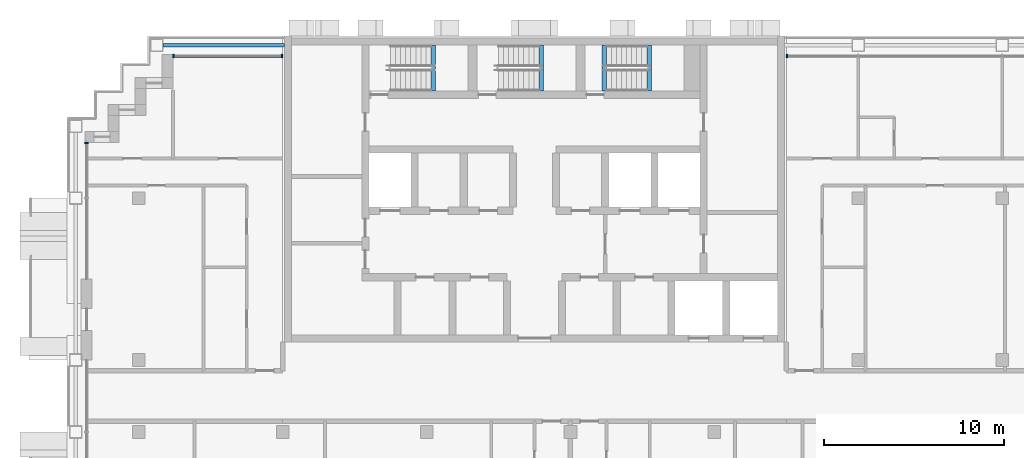
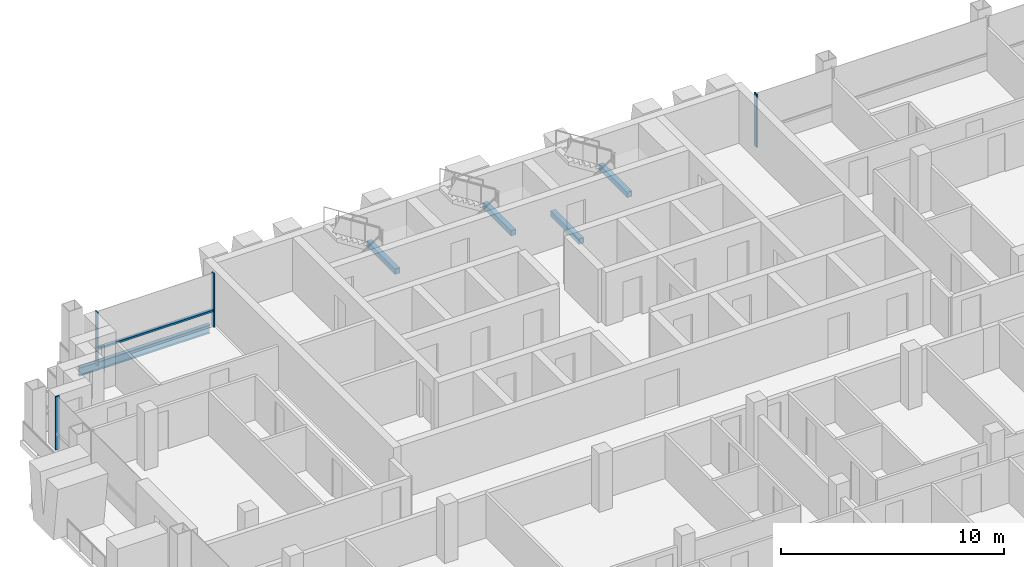
# One storey, part 4 of 16: 5 beams, 5 members, 3 elements without a shape of their own.
"""IFC4 building model written with IfcOpenShell, lengths in metres."""

from ifc_helpers import new_model, si_unit, direction, frame, origin, origin_2d, place, context, subcontext, project, spatial, rectangle, i_section, extrude, material, material_profile, profile_set, type_object, element, aggregate, save


model = new_model("IFC4")

# Units and contexts
model_context = context("Model", 3, precision=1e-05, world=origin(), true_north=direction((0.0, 1.0)))
body_context = subcontext(model_context, "Body", "Model", "MODEL_VIEW")
ifc_project = project(units=[si_unit("LENGTHUNIT", "METRE"), si_unit("AREAUNIT", "SQUARE_METRE"), si_unit("VOLUMEUNIT", "CUBIC_METRE"), si_unit("PLANEANGLEUNIT", "RADIAN"), si_unit("MASSUNIT", "GRAM", prefix="KILO")], contexts=[model_context])

# Site, building, storey
site_placement = place(None, origin())
site = spatial("IfcSite", under=ifc_project, at=site_placement, CompositionType="ELEMENT")
building_placement = place(site_placement, origin())
building = spatial("IfcBuilding", under=site, at=building_placement, Name="Vidyagriha Tower", CompositionType="ELEMENT")
storey_placement = place(building_placement, frame((0.0, 0.0, 181.300048828125)))
storey = spatial("IfcBuildingStorey", under=building, at=storey_placement, Name="L47", CompositionType="ELEMENT", Elevation=181.300048828125)

# Beam
ifc_material_1 = material(Name="Steel ASTM A992 Grade 50", Category="steel")
ifc_material_profile_1 = material_profile(ifc_material_1, i_section(OverallWidth=0.19189453125, OverallDepth=0.46240234375, WebThickness=0.010498046875, FlangeThickness=0.017578125, at=origin_2d()), Name="W18X60")
ifc_profile_set_1 = profile_set([ifc_material_profile_1], Name="Steel ASTM A992 Grade 50")
beam_type_1 = type_object("IfcBeamType", Name="Edge beam W18X60", PredefinedType="SPANDREL", material=ifc_profile_set_1)
beam_placement = place(storey_placement, frame((-20.64990234375, 19.5, -0.51123046875), z_axis=(1.0, 0.0, 0.0), x_axis=(0.0, 1.0, 0.0)))
element("IfcBeam", 1, at=beam_placement, inside=storey, type_object=beam_type_1, Name="st-beam-L47-NC20", PredefinedType="SPANDREL", context=body_context, shape_type="SweptSolid", body=[
    extrude(i_section(OverallWidth=0.19189453125, OverallDepth=0.46240234375, WebThickness=0.010498046875, FlangeThickness=0.017578125, at=origin_2d()), origin(), (0.0, 0.0, 1.0), 6.75),
])

# Curtain wall, member
ifc_material_2 = material(Name="Aluminium and glass curtain wall", Category="aluminium")
curtain_wall_type = type_object("IfcCurtainWallType", Name="Dwelling skin unitised curtain wall", PredefinedType="USERDEFINED", material=ifc_material_2)
curtain_wall_1_placement = place(storey_placement, origin())
curtain_wall_1 = element("IfcCurtainWall", 2, at=curtain_wall_1_placement, inside=storey, type_object=curtain_wall_type, Name="CW1 dwelling skin", ObjectType="UNITISED", PredefinedType="USERDEFINED")
ifc_material_3 = material(Name="Aluminium black anodised", Category="aluminium")
ifc_material_profile_2 = material_profile(ifc_material_3, rectangle(XDim=0.199951171875, YDim=0.070068359375, at=origin_2d()), Name="Mullion 70x200 black aluminium")
ifc_profile_set_2 = profile_set([ifc_material_profile_2], Name="Aluminium black anodised")
member_type_1 = type_object("IfcMemberType", Name="Mullion 70x200 black aluminium", PredefinedType="MULLION", material=ifc_profile_set_2)
member_1_placement = place(storey_placement, frame((14.034912109375, 18.89990234375, 0.0), z_axis=(0.0, 0.0, 1.0), x_axis=(0.0, -1.0, 0.0)))
member_1 = element("IfcMember", 3, at=member_1_placement, type_object=member_type_1, Name="CW1 mullion 4", PredefinedType="MULLION", context=body_context, shape_type="SweptSolid", body=[
    extrude(rectangle(XDim=0.199951171875, YDim=0.070068359375, at=origin_2d()), origin(), (0.0, 0.0, 1.0), 2.919921875),
])
aggregate(curtain_wall_1, [member_1])

# Curtain wall, members
curtain_wall_2_placement = place(storey_placement, origin())
curtain_wall_2 = element("IfcCurtainWall", 4, at=curtain_wall_2_placement, inside=storey, type_object=curtain_wall_type, Name="CW1 dwelling skin", ObjectType="UNITISED", PredefinedType="USERDEFINED")
member_2_placement = place(storey_placement, frame((-14.034912109375, 18.89990234375, 0.0), z_axis=(0.0, 0.0, 1.0), x_axis=(0.0, -1.0, 0.0)))
member_2 = element("IfcMember", 5, at=member_2_placement, type_object=member_type_1, Name="CW1 mullion 1", PredefinedType="MULLION", context=body_context, shape_type="SweptSolid", body=[
    extrude(rectangle(XDim=0.199951171875, YDim=0.070068359375, at=origin_2d()), origin(), (0.0, 0.0, 1.0), 2.919921875),
])
member_3_placement = place(storey_placement, frame((-20.06494140625, 18.89990234375, 0.0), z_axis=(0.0, 0.0, 1.0), x_axis=(0.0, -1.0, 0.0)))
member_3 = element("IfcMember", 6, at=member_3_placement, type_object=member_type_1, Name="CW1 mullion 2", PredefinedType="MULLION", context=body_context, shape_type="SweptSolid", body=[
    extrude(rectangle(XDim=0.199951171875, YDim=0.070068359375, at=origin_2d()), origin(), (0.0, 0.0, 1.0), 2.919921875),
])

# Curtain wall, member
curtain_wall_3_placement = place(storey_placement, origin())
curtain_wall_3 = element("IfcCurtainWall", 7, at=curtain_wall_3_placement, inside=storey, type_object=curtain_wall_type, Name="CW1 dwelling skin", ObjectType="UNITISED", PredefinedType="USERDEFINED")
member_4_placement = place(storey_placement, frame((-24.89990234375, 14.06494140625, 0.0)))
member_4 = element("IfcMember", 8, at=member_4_placement, type_object=member_type_1, Name="CW1 mullion 1", PredefinedType="MULLION", context=body_context, shape_type="SweptSolid", body=[
    extrude(rectangle(XDim=0.199951171875, YDim=0.070068359375, at=origin_2d()), origin(), (0.0, 0.0, 1.0), 2.919921875),
])
aggregate(curtain_wall_3, [member_4])

# Beams
ifc_material_4 = material(Name="Concrete C40/50", Category="concrete")
ifc_material_profile_3 = material_profile(ifc_material_4, rectangle(XDim=0.25, YDim=0.300048828125, at=origin_2d()), Name="Stair landing bearing beam 250x300")
ifc_profile_set_3 = profile_set([ifc_material_profile_3], Name="Concrete C40/50")
beam_type_2 = type_object("IfcBeamType", Name="Stair landing bearing beam 250x300", PredefinedType="BEAM", material=ifc_profile_set_3)
for number, where, z_axis, x_axis, name in (
    (9, (3.875, 16.949951171875, -0.429931640625), (0.0, 1.0, 0.0), (-1.0, 0.0, 0.0), "ST3 floor landing bearing beam L47"),
    (10, (-5.635009765625, 16.949951171875, 1.25), (0.0, 1.0, 0.0), (-1.0, 0.0, 0.0), "ST1 landing bearing beam L47"),
    (11, (0.364990234375, 16.949951171875, 1.25), (0.0, 1.0, 0.0), (-1.0, 0.0, 0.0), "ST2 landing bearing beam L47"),
    (12, (6.364990234375, 16.949951171875, 1.25), (0.0, 1.0, 0.0), (-1.0, 0.0, 0.0), "ST3 landing bearing beam L47"),
):
    element("IfcBeam", number, at=place(storey_placement, frame(where, z_axis=z_axis, x_axis=x_axis)), inside=storey, type_object=beam_type_2, Name=name, PredefinedType="BEAM", context=body_context, shape_type="SweptSolid", body=[
        extrude(rectangle(XDim=0.25, YDim=0.300048828125, at=origin_2d()), origin(), (0.0, 0.0, 1.0), 2.550048828125),
    ])

# Member
ifc_material_5 = material(Name="Aluminium black anodised", Category="aluminium")
ifc_material_profile_4 = material_profile(ifc_material_5, rectangle(XDim=0.159912109375, YDim=0.10009765625, at=origin_2d()), Name="Transom 100x160 black aluminium")
ifc_profile_set_4 = profile_set([ifc_material_profile_4], Name="Aluminium black anodised")
member_type_2 = type_object("IfcMemberType", Name="Transom 100x160 black aluminium", PredefinedType="USERDEFINED", material=ifc_profile_set_4)
member_5_placement = place(storey_placement, frame((-14.070068359375, 18.89990234375, 0.89990234375), z_axis=(-1.0, 0.0, 0.0), x_axis=(0.0, -1.0, 0.0)))
member_5 = element("IfcMember", 13, at=member_5_placement, type_object=member_type_2, Name="CW1 transom 1.1", ObjectType="TRANSOM", PredefinedType="USERDEFINED", context=body_context, shape_type="SweptSolid", body=[
    extrude(rectangle(XDim=0.159912109375, YDim=0.10009765625, at=origin_2d()), origin(), (0.0, 0.0, 1.0), 5.9599609375),
])

aggregate(curtain_wall_2, [member_2, member_3, member_5])

save(model, "model.ifc")
